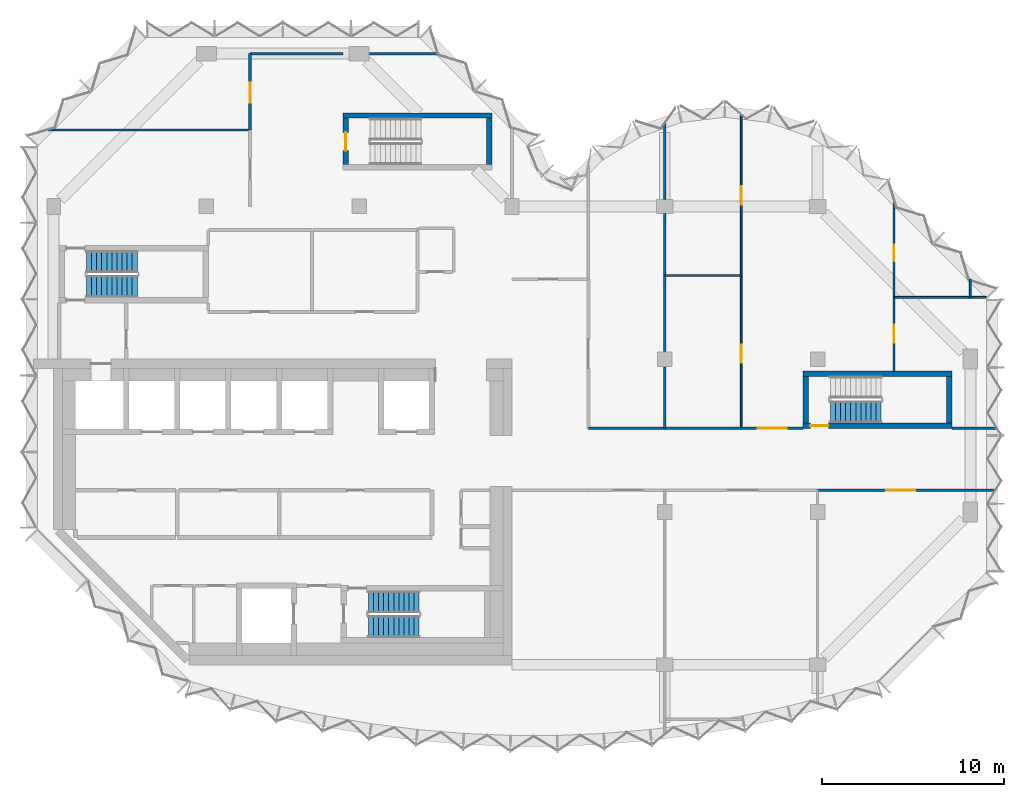
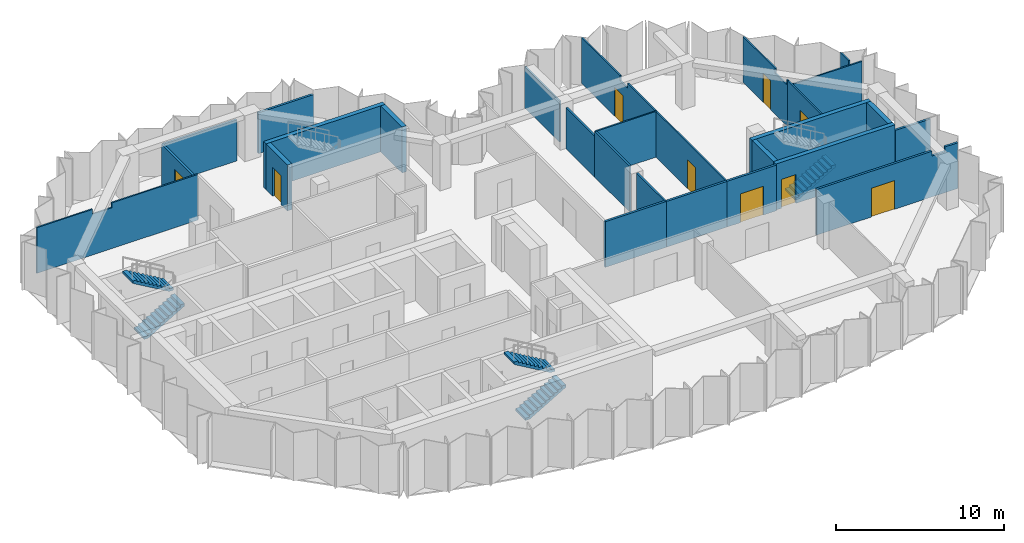
# One storey, part 7 of 10: 27 walls, 9 doors, 5 stair flights, 9 openings, 3 elements without a shape of their own.
"""IFC4 building model written with IfcOpenShell, lengths in metres."""

from ifc_helpers import new_model, si_unit, direction, frame, frame_2d, origin, place, context, subcontext, project, spatial, polyline, rectangle, outline, extrude, material, layer, layer_set, type_object, element, fill, aggregate, save


model = new_model("IFC4")

# Units and contexts
model_context = context("Model", 3, precision=1e-05, world=origin(), true_north=direction((0.0, 1.0)))
body_context = subcontext(model_context, "Body", "Model", "MODEL_VIEW")
ifc_project = project(units=[si_unit("LENGTHUNIT", "METRE"), si_unit("AREAUNIT", "SQUARE_METRE"), si_unit("VOLUMEUNIT", "CUBIC_METRE"), si_unit("PLANEANGLEUNIT", "RADIAN"), si_unit("MASSUNIT", "GRAM", prefix="KILO")], contexts=[model_context])

# Site, building, storey
site_placement = place(None, origin())
site = spatial("IfcSite", under=ifc_project, at=site_placement, CompositionType="ELEMENT")
building_placement = place(site_placement, origin())
building = spatial("IfcBuilding", under=site, at=building_placement, Name="Brevane Broadcast Tower", CompositionType="ELEMENT")
storey_placement = place(building_placement, frame((0.0, 0.0, 230.10009765625)))
storey = spatial("IfcBuildingStorey", under=building, at=storey_placement, Name="L58", CompositionType="ELEMENT", Elevation=230.10009765625)

# Wall
ifc_material_1 = material(Name="Concrete C50/60", Category="concrete")
ifc_layer_1 = layer(ifc_material_1, 0.300048828125)
ifc_layer_set_1 = layer_set([ifc_layer_1], Name="Core wall 300 mm C50/60")
wall_type_1 = type_object("IfcWallType", Name="Core wall 300 mm C50/60", PredefinedType="SHEAR", material=ifc_layer_set_1)
wall_1_placement = place(storey_placement, frame((15.89990234375, 30.199951171875, 0.0), z_axis=(0.0, 0.0, 1.0), x_axis=(1.0, 0.0, 0.0)))
element("IfcWall", 1, at=wall_1_placement, inside=storey, type_object=wall_type_1, Name="L58 stair wall ST-3-N", PredefinedType="SHEAR", context=body_context, shape_type="SweptSolid", body=[
    extrude(rectangle(XDim=8.2001953125, YDim=0.300048828125, at=frame_2d((4.10009765625, 0.0))), origin(), (0.0, 0.0, 1.0), 3.349853515625),
])

# Wall, opening, door
wall_2_placement = place(storey_placement, frame((16.050048828125, 27.5, 0.0), z_axis=(0.0, 0.0, 1.0), x_axis=(0.0, 1.0, 0.0)))
wall_2 = element("IfcWall", 2, at=wall_2_placement, inside=storey, type_object=wall_type_1, Name="L58 stair wall ST-3-W", PredefinedType="SHEAR", context=body_context, shape_type="SweptSolid", body=[
    extrude(rectangle(XDim=2.550048828125, YDim=0.300048828125, at=frame_2d((1.27490234375, 0.0))), origin(), (0.0, 0.0, 1.0), 3.349853515625),
])
opening_1_placement = place(wall_2_placement, frame((0.77490234375, 0.0, 0.0)))
opening_1 = element("IfcOpeningElement", 3, at=opening_1_placement, cuts=wall_2, Name="Opening L58-K12", PredefinedType="OPENING", context=body_context, shape_type="SweptSolid", body=[
    extrude(rectangle(XDim=1.0, YDim=2.10009765625, at=frame_2d((0.5, 1.050048828125))), frame((0.0, 0.159912109375, 0.0), z_axis=(0.0, -1.0, 0.0), x_axis=(1.0, 0.0, 0.0)), (0.0, 0.0, 1.0), 0.320068359375),
])
ifc_material_2 = material(Name="Steel", Category="steel")
door_type_1 = type_object("IfcDoorType", Name="Stair door 1000 x 2100", OperationType="SINGLE_SWING_LEFT", PredefinedType="DOOR", material=ifc_material_2)
door_1_placement = place(opening_1_placement, origin())
door_1 = element("IfcDoor", 4, at=door_1_placement, inside=storey, type_object=door_type_1, Name="Door L58-K12", OperationType="SINGLE_SWING_LEFT", OverallHeight=2.10009765625, OverallWidth=1.0, PredefinedType="DOOR", context=body_context, shape_type="SweptSolid", body=[
    extrude(rectangle(XDim=1.0, YDim=2.10009765625, at=frame_2d((0.5, 1.050048828125))), frame((0.0, 0.02490234375, 0.0), z_axis=(0.0, -1.0, 0.0), x_axis=(1.0, 0.0, 0.0)), (0.0, 0.0, 1.0), 0.050048828125),
])
fill(opening_1, door_1)

# Wall
wall_3_placement = place(storey_placement, frame((23.949951171875, 27.5, 0.0), z_axis=(0.0, 0.0, 1.0), x_axis=(0.0, 1.0, 0.0)))
element("IfcWall", 5, at=wall_3_placement, inside=storey, type_object=wall_type_1, Name="L58 stair wall ST-3-E", PredefinedType="SHEAR", context=body_context, shape_type="SweptSolid", body=[
    extrude(rectangle(XDim=2.550048828125, YDim=0.300048828125, at=frame_2d((1.27490234375, 0.0))), origin(), (0.0, 0.0, 1.0), 3.349853515625),
])

# Wall, opening, door
wall_4_placement = place(storey_placement, frame((49.39990234375, 13.14990234375, 0.0), z_axis=(0.0, 0.0, 1.0), x_axis=(-1.0, 0.0, 0.0)))
wall_4 = element("IfcWall", 6, at=wall_4_placement, inside=storey, type_object=wall_type_1, Name="L58 stair wall ST-4-S", PredefinedType="SHEAR", context=body_context, shape_type="SweptSolid", body=[
    extrude(rectangle(XDim=8.199951171875, YDim=0.300048828125, at=frame_2d((4.10009765625, 0.0))), origin(), (0.0, 0.0, 1.0), 3.349853515625),
])
opening_2_placement = place(wall_4_placement, frame((6.800048828125, 0.0, 0.0)))
opening_2 = element("IfcOpeningElement", 7, at=opening_2_placement, cuts=wall_4, Name="Opening L58-K13", PredefinedType="OPENING", context=body_context, shape_type="SweptSolid", body=[
    extrude(rectangle(XDim=1.0, YDim=2.10009765625, at=frame_2d((0.5, 1.050048828125))), frame((0.0, 0.159912109375, 0.0), z_axis=(0.0, -1.0, 0.0), x_axis=(1.0, 0.0, 0.0)), (0.0, 0.0, 1.0), 0.320068359375),
])
door_2_placement = place(opening_2_placement, origin())
door_2 = element("IfcDoor", 8, at=door_2_placement, inside=storey, type_object=door_type_1, Name="Door L58-K13", OperationType="SINGLE_SWING_RIGHT", OverallHeight=2.10009765625, OverallWidth=1.0, PredefinedType="DOOR", context=body_context, shape_type="SweptSolid", body=[
    extrude(rectangle(XDim=1.0, YDim=2.10009765625, at=frame_2d((0.5, 1.050048828125))), frame((0.0, 0.02490234375, 0.0), z_axis=(0.0, -1.0, 0.0), x_axis=(1.0, 0.0, 0.0)), (0.0, 0.0, 1.0), 0.050048828125),
])
fill(opening_2, door_2)

# Walls
wall_5_placement = place(storey_placement, frame((41.199951171875, 16.0, 0.0), z_axis=(0.0, 0.0, 1.0), x_axis=(1.0, 0.0, 0.0)))
element("IfcWall", 9, at=wall_5_placement, inside=storey, type_object=wall_type_1, Name="L58 stair wall ST-4-N", PredefinedType="SHEAR", context=body_context, shape_type="SweptSolid", body=[
    extrude(rectangle(XDim=8.199951171875, YDim=0.300048828125, at=frame_2d((4.10009765625, 0.0))), origin(), (0.0, 0.0, 1.0), 3.349853515625),
])
for number, where, z_axis, x_axis, name in (
    (10, (41.35009765625, 13.300048828125, 0.0), (0.0, 0.0, 1.0), (0.0, 1.0, 0.0), "L58 stair wall ST-4-W"),
    (11, (49.25, 13.300048828125, 0.0), (0.0, 0.0, 1.0), (0.0, 1.0, 0.0), "L58 stair wall ST-4-E"),
):
    element("IfcWall", number, at=place(storey_placement, frame(where, z_axis=z_axis, x_axis=x_axis)), inside=storey, type_object=wall_type_1, Name=name, PredefinedType="SHEAR", context=body_context, shape_type="SweptSolid", body=[
        extrude(rectangle(XDim=2.550048828125, YDim=0.300048828125, at=frame_2d((1.27490234375, 0.0))), origin(), (0.0, 0.0, 1.0), 3.349853515625),
    ])

# Wall, opening, door
ifc_material_3 = material(Name="Gypsum board partition")
ifc_layer_2 = layer(ifc_material_3, 0.10009765625)
ifc_layer_set_2 = layer_set([ifc_layer_2], Name="PARTITION 100 STUD")
wall_type_2 = type_object("IfcWallType", Name="PARTITION 100 STUD", PredefinedType="PARTITIONING", material=ifc_layer_set_2)
wall_6_placement = place(storey_placement, frame((46.199951171875, 20.199951171875, 0.0), z_axis=(0.0, 0.0, 1.0), x_axis=(0.0, -1.0, 0.0)))
wall_6 = element("IfcWall", 12, at=wall_6_placement, inside=storey, type_object=wall_type_2, Name="Partition G18-024", PredefinedType="PARTITIONING", context=body_context, shape_type="SweptSolid", body=[
    extrude(rectangle(XDim=4.050048828125, YDim=0.10009765625, at=frame_2d((2.02490234375, 0.0))), origin(), (0.0, 0.0, 1.0), 3.329833984375),
])
opening_3_placement = place(wall_6_placement, frame((1.5, 0.0, 0.0)))
opening_3 = element("IfcOpeningElement", 13, at=opening_3_placement, cuts=wall_6, Name="Opening D29-007", PredefinedType="OPENING", context=body_context, shape_type="SweptSolid", body=[
    extrude(rectangle(XDim=1.0, YDim=2.10009765625, at=frame_2d((0.5, 1.050048828125))), frame((0.0, 0.06005859375, 0.0), z_axis=(0.0, -1.0, 0.0), x_axis=(1.0, 0.0, 0.0)), (0.0, 0.0, 1.0), 0.1201171875),
])
ifc_material_4 = material(Name="Timber door leaf", Category="wood")
door_type_2 = type_object("IfcDoorType", Name="DOOR SINGLE 1000 INTERNAL", OperationType="SINGLE_SWING_LEFT", PredefinedType="DOOR", material=ifc_material_4)
door_3_placement = place(opening_3_placement, origin())
door_3 = element("IfcDoor", 14, at=door_3_placement, inside=storey, type_object=door_type_2, Name="Door D29-007", OperationType="SINGLE_SWING_LEFT", OverallHeight=2.10009765625, OverallWidth=1.0, PredefinedType="DOOR", context=body_context, shape_type="SweptSolid", body=[
    extrude(rectangle(XDim=1.0, YDim=2.10009765625, at=frame_2d((0.5, 1.050048828125))), frame((0.0, 0.02490234375, 0.0), z_axis=(0.0, -1.0, 0.0), x_axis=(1.0, 0.0, 0.0)), (0.0, 0.0, 1.0), 0.050048828125),
])
fill(opening_3, door_3)

wall_7_placement = place(storey_placement, frame((46.199951171875, 25.50244140625, 0.0), z_axis=(0.0, 0.0, 1.0), x_axis=(0.0, -1.0, 0.0)))
wall_7 = element("IfcWall", 15, at=wall_7_placement, inside=storey, type_object=wall_type_2, Name="Partition G18-025", PredefinedType="PARTITIONING", context=body_context, shape_type="SweptSolid", body=[
    extrude(outline(polyline([(0.0, 0.0), (5.302490234375, 0.0), (5.302490234375, 3.329833984375), (5.168212890625, 3.329833984375), (5.166259765625, 2.97998046875), (3.8388671875, 2.97998046875), (3.8369140625, 3.329833984375), (0.1025390625, 3.329833984375), (0.0, 3.329833984375), (0.0, 0.0)])), frame((0.0, 0.050048828125, 0.0), z_axis=(0.0, -1.0, 0.0), x_axis=(1.0, 0.0, 0.0)), (0.0, 0.0, 1.0), 0.10009765625),
])
opening_4_placement = place(wall_7_placement, frame((2.402587890625, 0.0, 0.0)))
opening_4 = element("IfcOpeningElement", 16, at=opening_4_placement, cuts=wall_7, Name="Opening D29-008", PredefinedType="OPENING", context=body_context, shape_type="SweptSolid", body=[
    extrude(rectangle(XDim=0.89990234375, YDim=2.10009765625, at=frame_2d((0.449951171875, 1.050048828125))), frame((0.0, 0.06005859375, 0.0), z_axis=(0.0, -1.0, 0.0), x_axis=(1.0, 0.0, 0.0)), (0.0, 0.0, 1.0), 0.1201171875),
])
door_type_3 = type_object("IfcDoorType", Name="DOOR SINGLE 900 INTERNAL", OperationType="SINGLE_SWING_LEFT", PredefinedType="DOOR", material=ifc_material_4)
door_4_placement = place(opening_4_placement, origin())
door_4 = element("IfcDoor", 17, at=door_4_placement, inside=storey, type_object=door_type_3, Name="Door D29-008", OperationType="SINGLE_SWING_LEFT", OverallHeight=2.10009765625, OverallWidth=0.89990234375, PredefinedType="DOOR", context=body_context, shape_type="SweptSolid", body=[
    extrude(rectangle(XDim=0.89990234375, YDim=2.10009765625, at=frame_2d((0.449951171875, 1.050048828125))), frame((0.0, 0.02490234375, 0.0), z_axis=(0.0, -1.0, 0.0), x_axis=(1.0, 0.0, 0.0)), (0.0, 0.0, 1.0), 0.050048828125),
])
fill(opening_4, door_4)

wall_8_placement = place(storey_placement, frame((37.800048828125, 13.0, 0.0), z_axis=(0.0, 0.0, 1.0), x_axis=(0.0, 1.0, 0.0)))
wall_8 = element("IfcWall", 18, at=wall_8_placement, inside=storey, type_object=wall_type_2, Name="Partition G18-026", PredefinedType="PARTITIONING", context=body_context, shape_type="SweptSolid", body=[
    extrude(rectangle(XDim=8.39990234375, YDim=0.10009765625, at=frame_2d((4.199951171875, 0.0))), origin(), (0.0, 0.0, 1.0), 3.329833984375),
])
opening_5_placement = place(wall_8_placement, frame((3.60009765625, 0.0, 0.0)))
opening_5 = element("IfcOpeningElement", 19, at=opening_5_placement, cuts=wall_8, Name="Opening D29-009", PredefinedType="OPENING", context=body_context, shape_type="SweptSolid", body=[
    extrude(rectangle(XDim=1.0, YDim=2.10009765625, at=frame_2d((0.5, 1.050048828125))), frame((0.0, 0.06005859375, 0.0), z_axis=(0.0, -1.0, 0.0), x_axis=(1.0, 0.0, 0.0)), (0.0, 0.0, 1.0), 0.1201171875),
])
door_5_placement = place(opening_5_placement, origin())
door_5 = element("IfcDoor", 20, at=door_5_placement, inside=storey, type_object=door_type_2, Name="Door D29-009", OperationType="SINGLE_SWING_LEFT", OverallHeight=2.10009765625, OverallWidth=1.0, PredefinedType="DOOR", context=body_context, shape_type="SweptSolid", body=[
    extrude(rectangle(XDim=1.0, YDim=2.10009765625, at=frame_2d((0.5, 1.050048828125))), frame((0.0, 0.02490234375, 0.0), z_axis=(0.0, -1.0, 0.0), x_axis=(1.0, 0.0, 0.0)), (0.0, 0.0, 1.0), 0.050048828125),
])
fill(opening_5, door_5)

wall_9_placement = place(storey_placement, frame((37.800048828125, 21.39990234375, 0.0), z_axis=(0.0, 0.0, 1.0), x_axis=(0.0, 1.0, 0.0)))
wall_9 = element("IfcWall", 21, at=wall_9_placement, inside=storey, type_object=wall_type_2, Name="Partition G18-027", PredefinedType="PARTITIONING", context=body_context, shape_type="SweptSolid", body=[
    extrude(outline(polyline([(0.0, 0.0), (8.8427734375, 0.0), (8.8427734375, 3.329833984375), (4.25, 3.329833984375), (4.248046875, 2.97998046875), (3.35205078125, 2.97998046875), (3.35009765625, 3.329833984375), (0.0, 3.329833984375), (0.0, 0.0)])), frame((0.0, 0.050048828125, 0.0), z_axis=(0.0, -1.0, 0.0), x_axis=(1.0, 0.0, 0.0)), (0.0, 0.0, 1.0), 0.10009765625),
])
opening_6_placement = place(wall_9_placement, frame((3.89990234375, 0.0, 0.0)))
opening_6 = element("IfcOpeningElement", 22, at=opening_6_placement, cuts=wall_9, Name="Opening D29-010", PredefinedType="OPENING", context=body_context, shape_type="SweptSolid", body=[
    extrude(rectangle(XDim=1.0, YDim=2.10009765625, at=frame_2d((0.5, 1.050048828125))), frame((0.0, 0.06005859375, 0.0), z_axis=(0.0, -1.0, 0.0), x_axis=(1.0, 0.0, 0.0)), (0.0, 0.0, 1.0), 0.1201171875),
])
door_6_placement = place(opening_6_placement, origin())
door_6 = element("IfcDoor", 23, at=door_6_placement, inside=storey, type_object=door_type_2, Name="Door D29-010", OperationType="SINGLE_SWING_LEFT", OverallHeight=2.10009765625, OverallWidth=1.0, PredefinedType="DOOR", context=body_context, shape_type="SweptSolid", body=[
    extrude(rectangle(XDim=1.0, YDim=2.10009765625, at=frame_2d((0.5, 1.050048828125))), frame((0.0, 0.02490234375, 0.0), z_axis=(0.0, -1.0, 0.0), x_axis=(1.0, 0.0, 0.0)), (0.0, 0.0, 1.0), 0.050048828125),
])
fill(opening_6, door_6)

# Walls
wall_10_placement = place(storey_placement, frame((46.199951171875, 20.199951171875, 0.0), z_axis=(0.0, 0.0, 1.0), x_axis=(1.0, 0.0, 0.0)))
element("IfcWall", 24, at=wall_10_placement, inside=storey, type_object=wall_type_2, Name="Partition G18-028", PredefinedType="PARTITIONING", context=body_context, shape_type="SweptSolid", body=[
    extrude(rectangle(XDim=5.071044921875, YDim=0.10009765625, at=frame_2d((2.53564453125, 0.0))), origin(), (0.0, 0.0, 1.0), 2.97998046875),
])
wall_11_placement = place(storey_placement, frame((50.39990234375, 20.199951171875, 0.0), z_axis=(0.0, 0.0, 1.0), x_axis=(0.0, 1.0, 0.0)))
element("IfcWall", 25, at=wall_11_placement, inside=storey, type_object=wall_type_2, Name="Partition G18-029", PredefinedType="PARTITIONING", context=body_context, shape_type="SweptSolid", body=[
    extrude(rectangle(XDim=1.0, YDim=0.10009765625, at=frame_2d((0.5, 0.0))), origin(), (0.0, 0.0, 1.0), 3.329833984375),
])
wall_12_placement = place(storey_placement, frame((33.60009765625, 21.39990234375, 0.0), z_axis=(0.0, 0.0, 1.0), x_axis=(1.0, 0.0, 0.0)))
element("IfcWall", 26, at=wall_12_placement, inside=storey, type_object=wall_type_2, Name="Partition G18-030", PredefinedType="PARTITIONING", context=body_context, shape_type="SweptSolid", body=[
    extrude(rectangle(XDim=4.199951171875, YDim=0.10009765625, at=frame_2d((2.10009765625, 0.0))), origin(), (0.0, 0.0, 1.0), 3.329833984375),
])
wall_13_placement = place(storey_placement, frame((-0.302490234375, 29.39990234375, 0.0), z_axis=(0.0, 0.0, 1.0), x_axis=(1.0, 0.0, 0.0)))
element("IfcWall", 27, at=wall_13_placement, inside=storey, type_object=wall_type_2, Name="Partition G18-035", PredefinedType="PARTITIONING", context=body_context, shape_type="SweptSolid", body=[
    extrude(outline(polyline([(0.0, 0.0), (11.1025390625, 0.0), (11.1025390625, 3.329833984375), (5.168212890625, 3.329833984375), (5.166259765625, 2.97998046875), (3.8388671875, 2.97998046875), (3.8369140625, 3.329833984375), (0.1025390625, 3.329833984375), (0.0, 3.329833984375), (0.0, 0.0)])), frame((0.0, 0.050048828125, 0.0), z_axis=(0.0, -1.0, 0.0), x_axis=(1.0, 0.0, 0.0)), (0.0, 0.0, 1.0), 0.10009765625),
])
ifc_layer_3 = layer(ifc_material_3, 0.125)
ifc_layer_set_3 = layer_set([ifc_layer_3], Name="PARTITION 125 ACOUSTIC")
wall_type_3 = type_object("IfcWallType", Name="PARTITION 125 ACOUSTIC", PredefinedType="PARTITIONING", material=ifc_layer_set_3)
wall_14_placement = place(storey_placement, frame((33.60009765625, 21.39990234375, 0.0), z_axis=(0.0, 0.0, 1.0), x_axis=(0.0, -1.0, 0.0)))
element("IfcWall", 28, at=wall_14_placement, inside=storey, type_object=wall_type_3, Name="Partition G18-020", PredefinedType="PARTITIONING", context=body_context, shape_type="SweptSolid", body=[
    extrude(rectangle(XDim=4.179931640625, YDim=0.125, at=frame_2d((2.08984375, 0.0))), origin(), (0.0, 0.0, 1.0), 3.329833984375),
])
wall_15_placement = place(storey_placement, frame((33.60009765625, 16.3798828125, 0.0), z_axis=(0.0, 0.0, 1.0), x_axis=(0.0, -1.0, 0.0)))
element("IfcWall", 29, at=wall_15_placement, inside=storey, type_object=wall_type_3, Name="Partition G18-021", PredefinedType="PARTITIONING", context=body_context, shape_type="SweptSolid", body=[
    extrude(rectangle(XDim=3.3798828125, YDim=0.125, at=frame_2d((1.68994140625, 0.0))), origin(), (0.0, 0.0, 1.0), 3.329833984375),
])
wall_16_placement = place(storey_placement, frame((33.60009765625, 29.761962890625, 0.0), z_axis=(0.0, 0.0, 1.0), x_axis=(0.0, -1.0, 0.0)))
element("IfcWall", 30, at=wall_16_placement, inside=storey, type_object=wall_type_3, Name="Partition G18-022", PredefinedType="PARTITIONING", context=body_context, shape_type="SweptSolid", body=[
    extrude(rectangle(XDim=4.1669921875, YDim=0.125, at=frame_2d((2.08349609375, 0.0))), origin(), (0.0, 0.0, 1.0), 2.97998046875),
])
wall_17_placement = place(storey_placement, frame((33.60009765625, 24.804931640625, 0.0), z_axis=(0.0, 0.0, 1.0), x_axis=(0.0, -1.0, 0.0)))
element("IfcWall", 31, at=wall_17_placement, inside=storey, type_object=wall_type_3, Name="Partition G18-023", PredefinedType="PARTITIONING", context=body_context, shape_type="SweptSolid", body=[
    extrude(rectangle(XDim=3.405029296875, YDim=0.125, at=frame_2d((1.70263671875, 0.0))), origin(), (0.0, 0.0, 1.0), 2.97998046875),
])

# Wall, opening, door
ifc_layer_4 = layer(ifc_material_3, 0.14990234375)
ifc_layer_set_4 = layer_set([ifc_layer_4], Name="PARTITION 150 EI 60")
wall_type_4 = type_object("IfcWallType", Name="PARTITION 150 EI 60", PredefinedType="PARTITIONING", material=ifc_layer_set_4)
wall_18_placement = place(storey_placement, frame((51.73046875, 9.60009765625, 0.0), z_axis=(0.0, 0.0, 1.0), x_axis=(-1.0, 0.0, 0.0)))
wall_18 = element("IfcWall", 32, at=wall_18_placement, inside=storey, type_object=wall_type_4, Name="Partition G18-008", PredefinedType="PARTITIONING", context=body_context, shape_type="SweptSolid", body=[
    extrude(outline(polyline([(0.0, 0.0), (9.73046875, 0.0), (9.73046875, 3.329833984375), (1.780517578125, 3.329833984375), (1.778564453125, 2.97998046875), (0.882568359375, 2.97998046875), (0.880615234375, 3.329833984375), (0.25048828125, 3.329833984375), (0.0, 3.329833984375), (0.0, 0.0)])), frame((0.0, 0.074951171875, 0.0), z_axis=(0.0, -1.0, 0.0), x_axis=(1.0, 0.0, 0.0)), (0.0, 0.0, 1.0), 0.14990234375),
])
opening_7_placement = place(wall_18_placement, frame((4.3505859375, 0.0, 0.0)))
opening_7 = element("IfcOpeningElement", 33, at=opening_7_placement, cuts=wall_18, Name="Opening D29-004", PredefinedType="OPENING", context=body_context, shape_type="SweptSolid", body=[
    extrude(rectangle(XDim=1.60009765625, YDim=2.10009765625, at=frame_2d((0.800048828125, 1.050048828125))), frame((0.0, 0.0849609375, 0.0), z_axis=(0.0, -1.0, 0.0), x_axis=(1.0, 0.0, 0.0)), (0.0, 0.0, 1.0), 0.169921875),
])
ifc_material_5 = material(Name="Fire-rated timber door leaf", Category="wood")
door_type_4 = type_object("IfcDoorType", Name="DOOR DOUBLE 1600 FD30S", OperationType="DOUBLE_DOOR_SINGLE_SWING", PredefinedType="DOOR", material=ifc_material_5)
door_7_placement = place(opening_7_placement, origin())
door_7 = element("IfcDoor", 34, at=door_7_placement, inside=storey, type_object=door_type_4, Name="Door D29-004", OperationType="DOUBLE_DOOR_SINGLE_SWING", OverallHeight=2.10009765625, OverallWidth=1.60009765625, PredefinedType="DOOR", context=body_context, shape_type="SweptSolid", body=[
    extrude(rectangle(XDim=1.60009765625, YDim=2.10009765625, at=frame_2d((0.800048828125, 1.050048828125))), frame((0.0, 0.02490234375, 0.0), z_axis=(0.0, -1.0, 0.0), x_axis=(1.0, 0.0, 0.0)), (0.0, 0.0, 1.0), 0.050048828125),
])
fill(opening_7, door_7)

# Wall
wall_19_placement = place(storey_placement, frame((29.39990234375, 13.0, 0.0), z_axis=(0.0, 0.0, 1.0), x_axis=(1.0, 0.0, 0.0)))
element("IfcWall", 35, at=wall_19_placement, inside=storey, type_object=wall_type_4, Name="Partition G18-009", PredefinedType="PARTITIONING", context=body_context, shape_type="SweptSolid", body=[
    extrude(rectangle(XDim=4.2001953125, YDim=0.14990234375, at=frame_2d((2.10009765625, 0.0))), origin(), (0.0, 0.0, 1.0), 3.329833984375),
])

# Wall, opening, door
wall_20_placement = place(storey_placement, frame((37.800048828125, 13.0, 0.0), z_axis=(0.0, 0.0, 1.0), x_axis=(1.0, 0.0, 0.0)))
wall_20 = element("IfcWall", 36, at=wall_20_placement, inside=storey, type_object=wall_type_4, Name="Partition G18-010", PredefinedType="PARTITIONING", context=body_context, shape_type="SweptSolid", body=[
    extrude(rectangle(XDim=3.39990234375, YDim=0.14990234375, at=frame_2d((1.699951171875, 0.0))), origin(), (0.0, 0.0, 1.0), 3.329833984375),
])
opening_8_placement = place(wall_20_placement, frame((0.89990234375, 0.0, 0.0)))
opening_8 = element("IfcOpeningElement", 37, at=opening_8_placement, cuts=wall_20, Name="Opening D29-006", PredefinedType="OPENING", context=body_context, shape_type="SweptSolid", body=[
    extrude(rectangle(XDim=1.60009765625, YDim=2.10009765625, at=frame_2d((0.800048828125, 1.050048828125))), frame((0.0, 0.0849609375, 0.0), z_axis=(0.0, -1.0, 0.0), x_axis=(1.0, 0.0, 0.0)), (0.0, 0.0, 1.0), 0.169921875),
])
door_8_placement = place(opening_8_placement, origin())
door_8 = element("IfcDoor", 38, at=door_8_placement, inside=storey, type_object=door_type_4, Name="Door D29-006", OperationType="DOUBLE_DOOR_SINGLE_SWING", OverallHeight=2.10009765625, OverallWidth=1.60009765625, PredefinedType="DOOR", context=body_context, shape_type="SweptSolid", body=[
    extrude(rectangle(XDim=1.60009765625, YDim=2.10009765625, at=frame_2d((0.800048828125, 1.050048828125))), frame((0.0, 0.02490234375, 0.0), z_axis=(0.0, -1.0, 0.0), x_axis=(1.0, 0.0, 0.0)), (0.0, 0.0, 1.0), 0.050048828125),
])
fill(opening_8, door_8)

# Walls
wall_21_placement = place(storey_placement, frame((49.39990234375, 13.0, 0.0), z_axis=(0.0, 0.0, 1.0), x_axis=(1.0, 0.0, 0.0)))
element("IfcWall", 39, at=wall_21_placement, inside=storey, type_object=wall_type_4, Name="Partition G18-011", PredefinedType="PARTITIONING", context=body_context, shape_type="SweptSolid", body=[
    extrude(rectangle(XDim=2.419677734375, YDim=0.14990234375, at=frame_2d((1.2099609375, 0.0))), origin(), (0.0, 0.0, 1.0), 2.97998046875),
])
wall_22_placement = place(storey_placement, frame((33.60009765625, 13.0, 0.0), z_axis=(0.0, 0.0, 1.0), x_axis=(1.0, 0.0, 0.0)))
element("IfcWall", 40, at=wall_22_placement, inside=storey, type_object=wall_type_4, Name="Partition G18-012", PredefinedType="PARTITIONING", context=body_context, shape_type="SweptSolid", body=[
    extrude(rectangle(XDim=4.199951171875, YDim=0.14990234375, at=frame_2d((2.10009765625, 0.0))), origin(), (0.0, 0.0, 1.0), 3.329833984375),
])

# Wall, opening, door
wall_23_placement = place(storey_placement, frame((10.800048828125, 29.39990234375, 0.0), z_axis=(0.0, 0.0, 1.0), x_axis=(0.0, 1.0, 0.0)))
wall_23 = element("IfcWall", 41, at=wall_23_placement, inside=storey, type_object=wall_type_4, Name="Partition G18-032", PredefinedType="PARTITIONING", context=body_context, shape_type="SweptSolid", body=[
    extrude(rectangle(XDim=4.2001953125, YDim=0.14990234375, at=frame_2d((2.10009765625, 0.0))), origin(), (0.0, 0.0, 1.0), 2.97998046875),
])
opening_9_placement = place(wall_23_placement, frame((1.5, 0.0, 0.0)))
opening_9 = element("IfcOpeningElement", 42, at=opening_9_placement, cuts=wall_23, Name="Opening D29-012", PredefinedType="OPENING", context=body_context, shape_type="SweptSolid", body=[
    extrude(rectangle(XDim=1.10009765625, YDim=2.10009765625, at=frame_2d((0.550048828125, 1.050048828125))), frame((0.0, 0.0849609375, 0.0), z_axis=(0.0, -1.0, 0.0), x_axis=(1.0, 0.0, 0.0)), (0.0, 0.0, 1.0), 0.169921875),
])
door_type_5 = type_object("IfcDoorType", Name="DOOR SINGLE 1100 FD30S", OperationType="SINGLE_SWING_LEFT", PredefinedType="DOOR", material=ifc_material_5)
door_9_placement = place(opening_9_placement, origin())
door_9 = element("IfcDoor", 43, at=door_9_placement, inside=storey, type_object=door_type_5, Name="Door D29-012", OperationType="SINGLE_SWING_LEFT", OverallHeight=2.10009765625, OverallWidth=1.10009765625, PredefinedType="DOOR", context=body_context, shape_type="SweptSolid", body=[
    extrude(rectangle(XDim=1.10009765625, YDim=2.10009765625, at=frame_2d((0.550048828125, 1.050048828125))), frame((0.0, 0.02490234375, 0.0), z_axis=(0.0, -1.0, 0.0), x_axis=(1.0, 0.0, 0.0)), (0.0, 0.0, 1.0), 0.050048828125),
])
fill(opening_9, door_9)

# Walls
wall_24_placement = place(storey_placement, frame((10.800048828125, 33.60009765625, 0.0), z_axis=(0.0, 0.0, 1.0), x_axis=(1.0, 0.0, 0.0)))
element("IfcWall", 44, at=wall_24_placement, inside=storey, type_object=wall_type_4, Name="Partition G18-033", PredefinedType="PARTITIONING", context=body_context, shape_type="SweptSolid", body=[
    extrude(outline(polyline([(0.0, 0.0), (5.099853515625, 0.0), (5.10009765625, 2.97998046875), (0.0, 2.97998046875), (0.0, 0.0)])), frame((0.0, 0.074951171875, 0.0), z_axis=(0.0, -1.0, 0.0), x_axis=(1.0, 0.0, 0.0)), (0.0, 0.0, 1.0), 0.14990234375),
])
wall_25_placement = place(storey_placement, frame((17.3701171875, 33.60009765625, 0.0), z_axis=(0.0, 0.0, 1.0), x_axis=(1.0, 0.0, 0.0)))
element("IfcWall", 45, at=wall_25_placement, inside=storey, type_object=wall_type_4, Name="Partition G18-034", PredefinedType="PARTITIONING", context=body_context, shape_type="SweptSolid", body=[
    extrude(rectangle(XDim=3.829833984375, YDim=0.14990234375, at=frame_2d((1.9150390625, 0.0))), origin(), (0.0, 0.0, 1.0), 2.97998046875),
])

# Stair, stair flights
stair_type = type_object("IfcStairType", Name="Exit stair 22 risers", PredefinedType="HALF_TURN_STAIR", material=ifc_material_1)
stair_1_placement = place(storey_placement, origin())
stair_1 = element("IfcStair", 46, at=stair_1_placement, inside=storey, type_object=stair_type, Name="L58 Exit stair ST-1", PredefinedType="HALF_TURN_STAIR")
stair_flight_type = type_object("IfcStairFlightType", Name="Exit stair flight 22 risers", PredefinedType="STRAIGHT", material=ifc_material_1)
stair_flight_1_placement = place(storey_placement, frame((1.800048828125, 20.800048828125, 0.0), z_axis=(0.0, 0.0, 1.0), x_axis=(1.0, 0.0, 0.0)))
stair_flight_1 = element("IfcStairFlight", 47, at=stair_flight_1_placement, type_object=stair_flight_type, Name="ST-1 flight 1", NumberOfRisers=11, NumberOfTreads=10, PredefinedType="STRAIGHT", RiserHeight=0.163636364, TreadLength=0.28, context=body_context, shape_type="SweptSolid", body=[
    extrude(outline(polyline([(0.0, 0.0), (0.0, 0.16357421875), (0.280029296875, 0.16357421875), (0.280029296875, 0.327392578125), (0.56005859375, 0.327392578125), (0.56005859375, 0.490966796875), (0.840087890625, 0.490966796875), (0.840087890625, 0.654541015625), (1.1201171875, 0.654541015625), (1.1201171875, 0.818115234375), (1.39990234375, 0.818115234375), (1.39990234375, 0.98193359375), (1.679931640625, 0.98193359375), (1.679931640625, 1.1455078125), (1.9599609375, 1.1455078125), (1.9599609375, 1.30908203125), (2.239990234375, 1.30908203125), (2.239990234375, 1.47265625), (2.52001953125, 1.47265625), (2.52001953125, 1.636474609375), (2.800048828125, 1.636474609375), (2.800048828125, 1.800048828125), (2.800048828125, 1.462646484375), (0.297119140625, 0.0), (0.0, 0.0)])), frame((0.0, 0.60009765625, 0.0), z_axis=(0.0, -1.0, 0.0), x_axis=(1.0, 0.0, 0.0)), (0.0, 0.0, 1.0), 1.199951171875),
])
stair_flight_2_placement = place(storey_placement, frame((4.60009765625, 22.14990234375, 1.7998046875), z_axis=(0.0, 0.0, 1.0), x_axis=(-1.0, 0.0, 0.0)))
stair_flight_2 = element("IfcStairFlight", 48, at=stair_flight_2_placement, type_object=stair_flight_type, Name="ST-1 flight 2", NumberOfRisers=11, NumberOfTreads=10, PredefinedType="STRAIGHT", RiserHeight=0.163636364, TreadLength=0.28, context=body_context, shape_type="SweptSolid", body=[
    extrude(outline(polyline([(0.0, 0.0), (0.0, 0.16357421875), (0.280029296875, 0.16357421875), (0.280029296875, 0.327392578125), (0.56005859375, 0.327392578125), (0.56005859375, 0.490966796875), (0.840087890625, 0.490966796875), (0.840087890625, 0.654541015625), (1.1201171875, 0.654541015625), (1.1201171875, 0.818115234375), (1.39990234375, 0.818115234375), (1.39990234375, 0.98193359375), (1.679931640625, 0.98193359375), (1.679931640625, 1.1455078125), (1.9599609375, 1.1455078125), (1.9599609375, 1.30908203125), (2.239990234375, 1.30908203125), (2.239990234375, 1.47265625), (2.52001953125, 1.47265625), (2.52001953125, 1.636474609375), (2.800048828125, 1.636474609375), (2.800048828125, 1.800048828125), (2.800048828125, 1.462646484375), (0.297119140625, 0.0), (0.0, 0.0)])), frame((0.0, 0.60009765625, 0.0), z_axis=(0.0, -1.0, 0.0), x_axis=(1.0, 0.0, 0.0)), (0.0, 0.0, 1.0), 1.199951171875),
])
aggregate(stair_1, [stair_flight_1, stair_flight_2])

stair_2_placement = place(storey_placement, origin())
stair_2 = element("IfcStair", 49, at=stair_2_placement, inside=storey, type_object=stair_type, Name="L58 Exit stair ST-2", PredefinedType="HALF_TURN_STAIR")
stair_flight_3_placement = place(storey_placement, frame((17.300048828125, 2.10009765625, 0.0), z_axis=(0.0, 0.0, 1.0), x_axis=(1.0, 0.0, 0.0)))
stair_flight_3 = element("IfcStairFlight", 50, at=stair_flight_3_placement, type_object=stair_flight_type, Name="ST-2 flight 1", NumberOfRisers=11, NumberOfTreads=10, PredefinedType="STRAIGHT", RiserHeight=0.163636364, TreadLength=0.28, context=body_context, shape_type="SweptSolid", body=[
    extrude(outline(polyline([(0.0, 0.0), (0.0, 0.16357421875), (0.280029296875, 0.16357421875), (0.280029296875, 0.327392578125), (0.56005859375, 0.327392578125), (0.56005859375, 0.490966796875), (0.840087890625, 0.490966796875), (0.840087890625, 0.654541015625), (1.1201171875, 0.654541015625), (1.1201171875, 0.818115234375), (1.39990234375, 0.818115234375), (1.39990234375, 0.98193359375), (1.679931640625, 0.98193359375), (1.679931640625, 1.1455078125), (1.9599609375, 1.1455078125), (1.9599609375, 1.30908203125), (2.239990234375, 1.30908203125), (2.239990234375, 1.47265625), (2.52001953125, 1.47265625), (2.52001953125, 1.636474609375), (2.800048828125, 1.636474609375), (2.800048828125, 1.800048828125), (2.800048828125, 1.462646484375), (0.297119140625, 0.0), (0.0, 0.0)])), frame((0.0, 0.60009765625, 0.0), z_axis=(0.0, -1.0, 0.0), x_axis=(1.0, 0.0, 0.0)), (0.0, 0.0, 1.0), 1.199951171875),
])
stair_flight_4_placement = place(storey_placement, frame((20.10009765625, 3.449951171875, 1.7998046875), z_axis=(0.0, 0.0, 1.0), x_axis=(-1.0, 0.0, 0.0)))
stair_flight_4 = element("IfcStairFlight", 51, at=stair_flight_4_placement, type_object=stair_flight_type, Name="ST-2 flight 2", NumberOfRisers=11, NumberOfTreads=10, PredefinedType="STRAIGHT", RiserHeight=0.163636364, TreadLength=0.28, context=body_context, shape_type="SweptSolid", body=[
    extrude(outline(polyline([(0.0, 0.0), (0.0, 0.16357421875), (0.280029296875, 0.16357421875), (0.280029296875, 0.327392578125), (0.56005859375, 0.327392578125), (0.56005859375, 0.490966796875), (0.840087890625, 0.490966796875), (0.840087890625, 0.654541015625), (1.1201171875, 0.654541015625), (1.1201171875, 0.818115234375), (1.39990234375, 0.818115234375), (1.39990234375, 0.98193359375), (1.679931640625, 0.98193359375), (1.679931640625, 1.1455078125), (1.9599609375, 1.1455078125), (1.9599609375, 1.30908203125), (2.239990234375, 1.30908203125), (2.239990234375, 1.47265625), (2.52001953125, 1.47265625), (2.52001953125, 1.636474609375), (2.800048828125, 1.636474609375), (2.800048828125, 1.800048828125), (2.800048828125, 1.462646484375), (0.297119140625, 0.0), (0.0, 0.0)])), frame((0.0, 0.60009765625, 0.0), z_axis=(0.0, -1.0, 0.0), x_axis=(1.0, 0.0, 0.0)), (0.0, 0.0, 1.0), 1.199951171875),
])
aggregate(stair_2, [stair_flight_3, stair_flight_4])

# Stair, stair flight
stair_3_placement = place(storey_placement, origin())
stair_3 = element("IfcStair", 52, at=stair_3_placement, inside=storey, type_object=stair_type, Name="L58 Exit stair ST-4", PredefinedType="HALF_TURN_STAIR")
stair_flight_5_placement = place(storey_placement, frame((42.699951171875, 13.89990234375, 0.0), z_axis=(0.0, 0.0, 1.0), x_axis=(1.0, 0.0, 0.0)))
stair_flight_5 = element("IfcStairFlight", 53, at=stair_flight_5_placement, type_object=stair_flight_type, Name="ST-4 flight 1", NumberOfRisers=11, NumberOfTreads=10, PredefinedType="STRAIGHT", RiserHeight=0.163636364, TreadLength=0.28, context=body_context, shape_type="SweptSolid", body=[
    extrude(outline(polyline([(0.0, 0.0), (0.0, 0.16357421875), (0.280029296875, 0.16357421875), (0.280029296875, 0.327392578125), (0.56005859375, 0.327392578125), (0.56005859375, 0.490966796875), (0.840087890625, 0.490966796875), (0.840087890625, 0.654541015625), (1.1201171875, 0.654541015625), (1.1201171875, 0.818115234375), (1.39990234375, 0.818115234375), (1.39990234375, 0.98193359375), (1.679931640625, 0.98193359375), (1.679931640625, 1.1455078125), (1.9599609375, 1.1455078125), (1.9599609375, 1.30908203125), (2.239990234375, 1.30908203125), (2.239990234375, 1.47265625), (2.52001953125, 1.47265625), (2.52001953125, 1.636474609375), (2.800048828125, 1.636474609375), (2.800048828125, 1.800048828125), (2.800048828125, 1.462646484375), (0.297119140625, 0.0), (0.0, 0.0)])), frame((0.0, 0.60009765625, 0.0), z_axis=(0.0, -1.0, 0.0), x_axis=(1.0, 0.0, 0.0)), (0.0, 0.0, 1.0), 1.199951171875),
])
aggregate(stair_3, [stair_flight_5])

save(model, "model.ifc")
